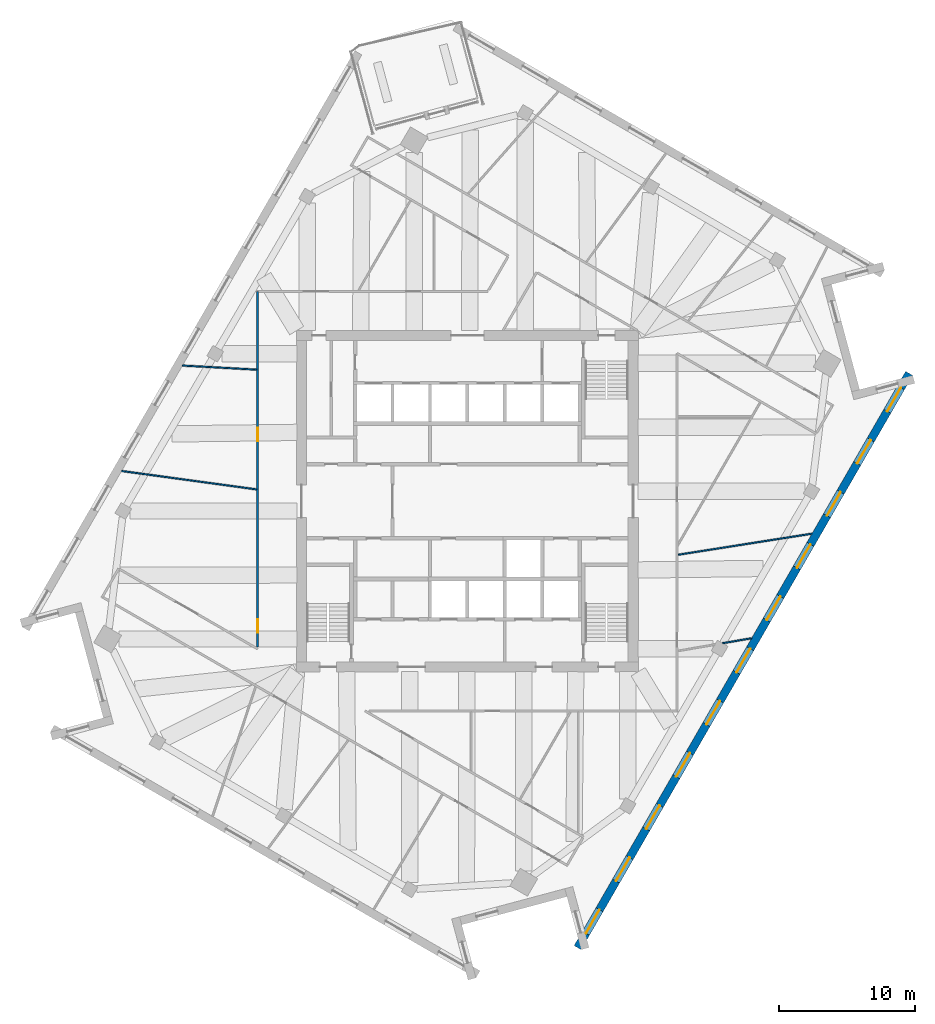
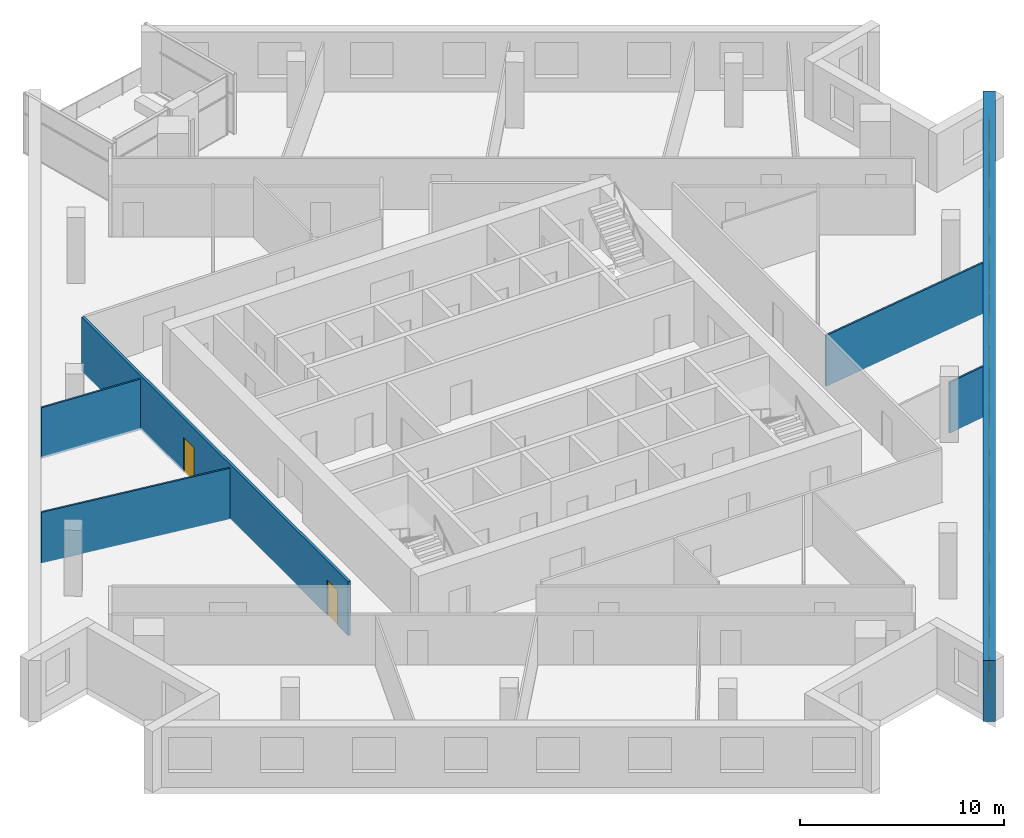
# One storey, part 8 of 13: 11 windows, 6 walls, 2 doors, 13 openings.
"""IFC4 building model written with IfcOpenShell, lengths in metres."""

from ifc_helpers import new_model, si_unit, direction, frame, frame_2d, origin, place, context, subcontext, project, spatial, rectangle, extrude, material, layer, layer_set, type_object, element, fill, save


model = new_model("IFC4")

# Units and contexts
model_context = context("Model", 3, precision=1e-05, world=origin(), true_north=direction((0.0, 1.0)))
body_context = subcontext(model_context, "Body", "Model", "MODEL_VIEW")
ifc_project = project(units=[si_unit("LENGTHUNIT", "METRE"), si_unit("AREAUNIT", "SQUARE_METRE"), si_unit("VOLUMEUNIT", "CUBIC_METRE"), si_unit("PLANEANGLEUNIT", "RADIAN"), si_unit("MASSUNIT", "GRAM", prefix="KILO")], contexts=[model_context])

# Site, building, storey
site_placement = place(None, origin())
site = spatial("IfcSite", under=ifc_project, at=site_placement, CompositionType="ELEMENT")
building_placement = place(site_placement, origin())
building = spatial("IfcBuilding", under=site, at=building_placement, Name="Dilmun Exchange Tower", CompositionType="ELEMENT")
storey_placement = place(building_placement, frame((0.0, 0.0, 262.89990234375)))
storey = spatial("IfcBuildingStorey", under=building, at=storey_placement, Name="L62", CompositionType="ELEMENT", Elevation=262.89990234375)

# Wall, openings, doors
ifc_material_1 = material(Name="Corridor wall 150")
ifc_layer_1 = layer(ifc_material_1, 0.14990234375)
ifc_layer_set_1 = layer_set([ifc_layer_1], Name="Corridor wall 150")
wall_type_1 = type_object("IfcWallType", Name="Corridor wall 150", PredefinedType="PARTITIONING", material=ifc_layer_set_1)
wall_1_placement = place(storey_placement, frame((-15.39990234375, -10.72021484375, 0.0), z_axis=(0.0, 0.0, 1.0), x_axis=(0.0, 1.0, 0.0)))
wall_1 = element("IfcWall", 1, at=wall_1_placement, inside=storey, type_object=wall_type_1, Name="Corridor wall", PredefinedType="PARTITIONING", context=body_context, shape_type="SweptSolid", body=[
    extrude(rectangle(XDim=26.1201171875, YDim=0.14990234375, at=frame_2d((13.06005859375, 0.0))), origin(), (0.0, 0.0, 1.0), 3.239990234375),
])
opening_1_placement = place(wall_1_placement, frame((1.050048828125, 0.0, 0.0)))
opening_1 = element("IfcOpeningElement", 2, at=opening_1_placement, cuts=wall_1, Name="Opening TF62-D02", PredefinedType="OPENING", context=body_context, shape_type="SweptSolid", body=[
    extrude(rectangle(XDim=1.0, YDim=2.10009765625, at=frame_2d((0.5, 1.050048828125))), frame((0.0, 0.0849609375, 0.0), z_axis=(0.0, -1.0, 0.0), x_axis=(1.0, 0.0, 0.0)), (0.0, 0.0, 1.0), 0.169921875),
])
opening_2_placement = place(wall_1_placement, frame((15.12353515625, 0.0, 0.0)))
opening_2 = element("IfcOpeningElement", 3, at=opening_2_placement, cuts=wall_1, Name="Opening TF62-D03", PredefinedType="OPENING", context=body_context, shape_type="SweptSolid", body=[
    extrude(rectangle(XDim=1.0, YDim=2.10009765625, at=frame_2d((0.5, 1.050048828125))), frame((0.0, 0.0849609375, 0.0), z_axis=(0.0, -1.0, 0.0), x_axis=(1.0, 0.0, 0.0)), (0.0, 0.0, 1.0), 0.169921875),
])
ifc_material_2 = material(Name="Fire door 1000 x 2100")
door_type = type_object("IfcDoorType", Name="Fire door 1000 x 2100", OperationType="NOTDEFINED", PredefinedType="DOOR", material=ifc_material_2)
door_1_placement = place(opening_1_placement, origin())
door_1 = element("IfcDoor", 4, at=door_1_placement, inside=storey, type_object=door_type, Name="Door TF62-D02", OperationType="SINGLE_SWING_LEFT", OverallHeight=2.10009765625, OverallWidth=1.0, PredefinedType="DOOR", context=body_context, shape_type="SweptSolid", body=[
    extrude(rectangle(XDim=1.0, YDim=2.10009765625, at=frame_2d((0.5, 1.050048828125))), frame((0.0, 0.02490234375, 0.0), z_axis=(0.0, -1.0, 0.0), x_axis=(1.0, 0.0, 0.0)), (0.0, 0.0, 1.0), 0.050048828125),
])
fill(opening_1, door_1)
door_2_placement = place(opening_2_placement, origin())
door_2 = element("IfcDoor", 5, at=door_2_placement, inside=storey, type_object=door_type, Name="Door TF62-D03", OperationType="SINGLE_SWING_RIGHT", OverallHeight=2.10009765625, OverallWidth=1.0, PredefinedType="DOOR", context=body_context, shape_type="SweptSolid", body=[
    extrude(rectangle(XDim=1.0, YDim=2.10009765625, at=frame_2d((0.5, 1.050048828125))), frame((0.0, 0.02490234375, 0.0), z_axis=(0.0, -1.0, 0.0), x_axis=(1.0, 0.0, 0.0)), (0.0, 0.0, 1.0), 0.050048828125),
])
fill(opening_2, door_2)

# Walls
ifc_material_3 = material(Name="Partition 100")
ifc_layer_2 = layer(ifc_material_3, 0.10009765625)
ifc_layer_set_2 = layer_set([ifc_layer_2], Name="Partition 100")
wall_type_2 = type_object("IfcWallType", Name="Partition 100", PredefinedType="PARTITIONING", material=ifc_layer_set_2)
wall_2_placement = place(storey_placement, frame((-25.39111328125, 2.217041015625, 0.0), z_axis=(0.0, 0.0, 1.0), x_axis=(0.990810103631, -0.135260262244, 0.0)))
element("IfcWall", 6, at=wall_2_placement, inside=storey, type_object=wall_type_2, Name="Partition", PredefinedType="PARTITIONING", context=body_context, shape_type="SweptSolid", body=[
    extrude(rectangle(XDim=10.001220703125, YDim=0.10009765625, at=frame_2d((5.00048828125, 0.0))), origin(), (0.0, 0.0, 1.0), 3.0400390625),
])
wall_3_placement = place(storey_placement, frame((-20.921630859375, 9.958740234375, 0.0), z_axis=(0.0, 0.0, 1.0), x_axis=(0.998469707991, -0.055301376328, 0.0)))
element("IfcWall", 7, at=wall_3_placement, inside=storey, type_object=wall_type_2, Name="Partition", PredefinedType="PARTITIONING", context=body_context, shape_type="SweptSolid", body=[
    extrude(rectangle(XDim=5.4521484375, YDim=0.10009765625, at=frame_2d((2.72607421875, 0.0))), origin(), (0.0, 0.0, 1.0), 3.0400390625),
])
wall_4_placement = place(storey_placement, frame((15.48291015625, -3.931884765625, 0.0), z_axis=(0.0, 0.0, 1.0), x_axis=(0.987819108506, 0.155606583636, 0.0)))
element("IfcWall", 8, at=wall_4_placement, inside=storey, type_object=wall_type_2, Name="Partition", PredefinedType="PARTITIONING", context=body_context, shape_type="SweptSolid", body=[
    extrude(rectangle(XDim=9.931640625, YDim=0.10009765625, at=frame_2d((4.9658203125, 0.0))), origin(), (0.0, 0.0, 1.0), 3.0400390625),
])
wall_5_placement = place(storey_placement, frame((18.7353515625, -10.430908203125, 0.0), z_axis=(0.0, 0.0, 1.0), x_axis=(0.985438538962, 0.170032014419, 0.0)))
element("IfcWall", 9, at=wall_5_placement, inside=storey, type_object=wall_type_2, Name="Partition", PredefinedType="PARTITIONING", context=body_context, shape_type="SweptSolid", body=[
    extrude(rectangle(XDim=2.15673828125, YDim=0.10009765625, at=frame_2d((1.078369140625, 0.0))), origin(), (0.0, 0.0, 1.0), 3.0400390625),
])

# Wall, openings, windows
ifc_material_4 = material(Name="Precast concrete C50/60", Category="concrete")
ifc_layer_3 = layer(ifc_material_4, 0.60009765625)
ifc_layer_set_3 = layer_set([ifc_layer_3], Name="Precast concrete C50/60")
wall_type_3 = type_object("IfcWallType", Name="Precast stone-clad wall 600", PredefinedType="STANDARD", material=ifc_layer_set_3)
wall_6_placement = place(storey_placement, frame((8.093505859375, -32.78173828125, 0.0), z_axis=(0.0, 0.0, 1.0), x_axis=(0.499997945818, 0.866026589763, 0.0)))
wall_6 = element("IfcWall", 10, at=wall_6_placement, inside=storey, type_object=wall_type_3, Name="Facade wall L62-11", PredefinedType="STANDARD", context=body_context, shape_type="SweptSolid", body=[
    extrude(rectangle(XDim=48.686279296875, YDim=0.60009765625, at=frame_2d((24.34326171875, 0.0))), origin(), (0.0, 0.0, 1.0), 3.64013671875),
])
opening_3_placement = place(wall_6_placement, frame((1.212890625, 0.0, 0.89990234375)))
opening_3 = element("IfcOpeningElement", 11, at=opening_3_placement, cuts=wall_6, Name="Opening W200-210", PredefinedType="OPENING", context=body_context, shape_type="SweptSolid", body=[
    extrude(rectangle(XDim=2.0, YDim=2.10009765625, at=frame_2d((1.0, 1.050048828125))), frame((0.0, 0.31005859375, 0.0), z_axis=(0.0, -1.0, 0.0), x_axis=(1.0, 0.0, 0.0)), (0.0, 0.0, 1.0), 0.6201171875),
])
opening_4_placement = place(wall_6_placement, frame((5.638916015625, 0.0, 0.89990234375)))
opening_4 = element("IfcOpeningElement", 12, at=opening_4_placement, cuts=wall_6, Name="Opening W200-210", PredefinedType="OPENING", context=body_context, shape_type="SweptSolid", body=[
    extrude(rectangle(XDim=2.0, YDim=2.10009765625, at=frame_2d((1.0, 1.050048828125))), frame((0.0, 0.31005859375, 0.0), z_axis=(0.0, -1.0, 0.0), x_axis=(1.0, 0.0, 0.0)), (0.0, 0.0, 1.0), 0.6201171875),
])
opening_5_placement = place(wall_6_placement, frame((10.065185546875, 0.0, 0.89990234375)))
opening_5 = element("IfcOpeningElement", 13, at=opening_5_placement, cuts=wall_6, Name="Opening W200-210", PredefinedType="OPENING", context=body_context, shape_type="SweptSolid", body=[
    extrude(rectangle(XDim=2.0, YDim=2.10009765625, at=frame_2d((1.0, 1.050048828125))), frame((0.0, 0.31005859375, 0.0), z_axis=(0.0, -1.0, 0.0), x_axis=(1.0, 0.0, 0.0)), (0.0, 0.0, 1.0), 0.6201171875),
])
opening_6_placement = place(wall_6_placement, frame((14.4912109375, 0.0, 0.89990234375)))
opening_6 = element("IfcOpeningElement", 14, at=opening_6_placement, cuts=wall_6, Name="Opening W200-210", PredefinedType="OPENING", context=body_context, shape_type="SweptSolid", body=[
    extrude(rectangle(XDim=2.0, YDim=2.10009765625, at=frame_2d((1.0, 1.050048828125))), frame((0.0, 0.31005859375, 0.0), z_axis=(0.0, -1.0, 0.0), x_axis=(1.0, 0.0, 0.0)), (0.0, 0.0, 1.0), 0.6201171875),
])
opening_7_placement = place(wall_6_placement, frame((18.9169921875, 0.0, 0.89990234375)))
opening_7 = element("IfcOpeningElement", 15, at=opening_7_placement, cuts=wall_6, Name="Opening W200-210", PredefinedType="OPENING", context=body_context, shape_type="SweptSolid", body=[
    extrude(rectangle(XDim=2.0, YDim=2.10009765625, at=frame_2d((1.0, 1.050048828125))), frame((0.0, 0.31005859375, 0.0), z_axis=(0.0, -1.0, 0.0), x_axis=(1.0, 0.0, 0.0)), (0.0, 0.0, 1.0), 0.6201171875),
])
opening_8_placement = place(wall_6_placement, frame((23.343017578125, 0.0, 0.89990234375)))
opening_8 = element("IfcOpeningElement", 16, at=opening_8_placement, cuts=wall_6, Name="Opening W200-210", PredefinedType="OPENING", context=body_context, shape_type="SweptSolid", body=[
    extrude(rectangle(XDim=2.0, YDim=2.10009765625, at=frame_2d((1.0, 1.050048828125))), frame((0.0, 0.31005859375, 0.0), z_axis=(0.0, -1.0, 0.0), x_axis=(1.0, 0.0, 0.0)), (0.0, 0.0, 1.0), 0.6201171875),
])
opening_9_placement = place(wall_6_placement, frame((27.769287109375, 0.0, 0.89990234375)))
opening_9 = element("IfcOpeningElement", 17, at=opening_9_placement, cuts=wall_6, Name="Opening W200-210", PredefinedType="OPENING", context=body_context, shape_type="SweptSolid", body=[
    extrude(rectangle(XDim=2.0, YDim=2.10009765625, at=frame_2d((1.0, 1.050048828125))), frame((0.0, 0.31005859375, 0.0), z_axis=(0.0, -1.0, 0.0), x_axis=(1.0, 0.0, 0.0)), (0.0, 0.0, 1.0), 0.6201171875),
])
opening_10_placement = place(wall_6_placement, frame((32.1953125, 0.0, 0.89990234375)))
opening_10 = element("IfcOpeningElement", 18, at=opening_10_placement, cuts=wall_6, Name="Opening W200-210", PredefinedType="OPENING", context=body_context, shape_type="SweptSolid", body=[
    extrude(rectangle(XDim=2.0, YDim=2.10009765625, at=frame_2d((1.0, 1.050048828125))), frame((0.0, 0.31005859375, 0.0), z_axis=(0.0, -1.0, 0.0), x_axis=(1.0, 0.0, 0.0)), (0.0, 0.0, 1.0), 0.6201171875),
])
opening_11_placement = place(wall_6_placement, frame((36.62109375, 0.0, 0.89990234375)))
opening_11 = element("IfcOpeningElement", 19, at=opening_11_placement, cuts=wall_6, Name="Opening W200-210", PredefinedType="OPENING", context=body_context, shape_type="SweptSolid", body=[
    extrude(rectangle(XDim=2.0, YDim=2.10009765625, at=frame_2d((1.0, 1.050048828125))), frame((0.0, 0.31005859375, 0.0), z_axis=(0.0, -1.0, 0.0), x_axis=(1.0, 0.0, 0.0)), (0.0, 0.0, 1.0), 0.6201171875),
])
opening_12_placement = place(wall_6_placement, frame((41.04736328125, 0.0, 0.89990234375)))
opening_12 = element("IfcOpeningElement", 20, at=opening_12_placement, cuts=wall_6, Name="Opening W200-210", PredefinedType="OPENING", context=body_context, shape_type="SweptSolid", body=[
    extrude(rectangle(XDim=2.0, YDim=2.10009765625, at=frame_2d((1.0, 1.050048828125))), frame((0.0, 0.31005859375, 0.0), z_axis=(0.0, -1.0, 0.0), x_axis=(1.0, 0.0, 0.0)), (0.0, 0.0, 1.0), 0.6201171875),
])
opening_13_placement = place(wall_6_placement, frame((45.473388671875, 0.0, 0.89990234375)))
opening_13 = element("IfcOpeningElement", 21, at=opening_13_placement, cuts=wall_6, Name="Opening W200-210", PredefinedType="OPENING", context=body_context, shape_type="SweptSolid", body=[
    extrude(rectangle(XDim=2.0, YDim=2.10009765625, at=frame_2d((1.0, 1.050048828125))), frame((0.0, 0.31005859375, 0.0), z_axis=(0.0, -1.0, 0.0), x_axis=(1.0, 0.0, 0.0)), (0.0, 0.0, 1.0), 0.6201171875),
])
ifc_material_5 = material(Name="Clear low-emissivity glass in aluminium frame", Category="aluminium")
window_type = type_object("IfcWindowType", Name="Punched window 2000 x 2100", PartitioningType="DOUBLE_PANEL_VERTICAL", PredefinedType="WINDOW", material=ifc_material_5)
window_1_placement = place(opening_3_placement, origin())
window_1 = element("IfcWindow", 22, at=window_1_placement, inside=storey, type_object=window_type, Name="Window 12.1", OverallHeight=2.10009765625, OverallWidth=2.0, PartitioningType="SINGLE_PANEL", PredefinedType="WINDOW", context=body_context, shape_type="SweptSolid", body=[
    extrude(rectangle(XDim=2.0, YDim=2.10009765625, at=frame_2d((1.0, 1.050048828125))), frame((0.0, 0.030029296875, 0.0), z_axis=(0.0, -1.0, 0.0), x_axis=(1.0, 0.0, 0.0)), (0.0, 0.0, 1.0), 0.06005859375),
])
fill(opening_3, window_1)
window_2_placement = place(opening_4_placement, origin())
window_2 = element("IfcWindow", 23, at=window_2_placement, inside=storey, type_object=window_type, Name="Window 12.2", OverallHeight=2.10009765625, OverallWidth=2.0, PartitioningType="SINGLE_PANEL", PredefinedType="WINDOW", context=body_context, shape_type="SweptSolid", body=[
    extrude(rectangle(XDim=2.0, YDim=2.10009765625, at=frame_2d((1.0, 1.050048828125))), frame((0.0, 0.030029296875, 0.0), z_axis=(0.0, -1.0, 0.0), x_axis=(1.0, 0.0, 0.0)), (0.0, 0.0, 1.0), 0.06005859375),
])
fill(opening_4, window_2)
window_3_placement = place(opening_5_placement, origin())
window_3 = element("IfcWindow", 24, at=window_3_placement, inside=storey, type_object=window_type, Name="Window 12.3", OverallHeight=2.10009765625, OverallWidth=2.0, PartitioningType="SINGLE_PANEL", PredefinedType="WINDOW", context=body_context, shape_type="SweptSolid", body=[
    extrude(rectangle(XDim=2.0, YDim=2.10009765625, at=frame_2d((1.0, 1.050048828125))), frame((0.0, 0.030029296875, 0.0), z_axis=(0.0, -1.0, 0.0), x_axis=(1.0, 0.0, 0.0)), (0.0, 0.0, 1.0), 0.06005859375),
])
fill(opening_5, window_3)
window_4_placement = place(opening_6_placement, origin())
window_4 = element("IfcWindow", 25, at=window_4_placement, inside=storey, type_object=window_type, Name="Window 12.4", OverallHeight=2.10009765625, OverallWidth=2.0, PartitioningType="SINGLE_PANEL", PredefinedType="WINDOW", context=body_context, shape_type="SweptSolid", body=[
    extrude(rectangle(XDim=2.0, YDim=2.10009765625, at=frame_2d((1.0, 1.050048828125))), frame((0.0, 0.030029296875, 0.0), z_axis=(0.0, -1.0, 0.0), x_axis=(1.0, 0.0, 0.0)), (0.0, 0.0, 1.0), 0.06005859375),
])
fill(opening_6, window_4)
window_5_placement = place(opening_7_placement, origin())
window_5 = element("IfcWindow", 26, at=window_5_placement, inside=storey, type_object=window_type, Name="Window 12.5", OverallHeight=2.10009765625, OverallWidth=2.0, PartitioningType="SINGLE_PANEL", PredefinedType="WINDOW", context=body_context, shape_type="SweptSolid", body=[
    extrude(rectangle(XDim=2.0, YDim=2.10009765625, at=frame_2d((1.0, 1.050048828125))), frame((0.0, 0.030029296875, 0.0), z_axis=(0.0, -1.0, 0.0), x_axis=(1.0, 0.0, 0.0)), (0.0, 0.0, 1.0), 0.06005859375),
])
fill(opening_7, window_5)
window_6_placement = place(opening_8_placement, origin())
window_6 = element("IfcWindow", 27, at=window_6_placement, inside=storey, type_object=window_type, Name="Window 12.6", OverallHeight=2.10009765625, OverallWidth=2.0, PartitioningType="SINGLE_PANEL", PredefinedType="WINDOW", context=body_context, shape_type="SweptSolid", body=[
    extrude(rectangle(XDim=2.0, YDim=2.10009765625, at=frame_2d((1.0, 1.050048828125))), frame((0.0, 0.030029296875, 0.0), z_axis=(0.0, -1.0, 0.0), x_axis=(1.0, 0.0, 0.0)), (0.0, 0.0, 1.0), 0.06005859375),
])
fill(opening_8, window_6)
window_7_placement = place(opening_9_placement, origin())
window_7 = element("IfcWindow", 28, at=window_7_placement, inside=storey, type_object=window_type, Name="Window 12.7", OverallHeight=2.10009765625, OverallWidth=2.0, PartitioningType="SINGLE_PANEL", PredefinedType="WINDOW", context=body_context, shape_type="SweptSolid", body=[
    extrude(rectangle(XDim=2.0, YDim=2.10009765625, at=frame_2d((1.0, 1.050048828125))), frame((0.0, 0.030029296875, 0.0), z_axis=(0.0, -1.0, 0.0), x_axis=(1.0, 0.0, 0.0)), (0.0, 0.0, 1.0), 0.06005859375),
])
fill(opening_9, window_7)
window_8_placement = place(opening_10_placement, origin())
window_8 = element("IfcWindow", 29, at=window_8_placement, inside=storey, type_object=window_type, Name="Window 12.8", OverallHeight=2.10009765625, OverallWidth=2.0, PartitioningType="SINGLE_PANEL", PredefinedType="WINDOW", context=body_context, shape_type="SweptSolid", body=[
    extrude(rectangle(XDim=2.0, YDim=2.10009765625, at=frame_2d((1.0, 1.050048828125))), frame((0.0, 0.030029296875, 0.0), z_axis=(0.0, -1.0, 0.0), x_axis=(1.0, 0.0, 0.0)), (0.0, 0.0, 1.0), 0.06005859375),
])
fill(opening_10, window_8)
window_9_placement = place(opening_11_placement, origin())
window_9 = element("IfcWindow", 30, at=window_9_placement, inside=storey, type_object=window_type, Name="Window 12.9", OverallHeight=2.10009765625, OverallWidth=2.0, PartitioningType="SINGLE_PANEL", PredefinedType="WINDOW", context=body_context, shape_type="SweptSolid", body=[
    extrude(rectangle(XDim=2.0, YDim=2.10009765625, at=frame_2d((1.0, 1.050048828125))), frame((0.0, 0.030029296875, 0.0), z_axis=(0.0, -1.0, 0.0), x_axis=(1.0, 0.0, 0.0)), (0.0, 0.0, 1.0), 0.06005859375),
])
fill(opening_11, window_9)
window_10_placement = place(opening_12_placement, origin())
window_10 = element("IfcWindow", 31, at=window_10_placement, inside=storey, type_object=window_type, Name="Window 12.10", OverallHeight=2.10009765625, OverallWidth=2.0, PartitioningType="SINGLE_PANEL", PredefinedType="WINDOW", context=body_context, shape_type="SweptSolid", body=[
    extrude(rectangle(XDim=2.0, YDim=2.10009765625, at=frame_2d((1.0, 1.050048828125))), frame((0.0, 0.030029296875, 0.0), z_axis=(0.0, -1.0, 0.0), x_axis=(1.0, 0.0, 0.0)), (0.0, 0.0, 1.0), 0.06005859375),
])
fill(opening_12, window_10)
window_11_placement = place(opening_13_placement, origin())
window_11 = element("IfcWindow", 32, at=window_11_placement, inside=storey, type_object=window_type, Name="Window 12.11", OverallHeight=2.10009765625, OverallWidth=2.0, PartitioningType="SINGLE_PANEL", PredefinedType="WINDOW", context=body_context, shape_type="SweptSolid", body=[
    extrude(rectangle(XDim=2.0, YDim=2.10009765625, at=frame_2d((1.0, 1.050048828125))), frame((0.0, 0.030029296875, 0.0), z_axis=(0.0, -1.0, 0.0), x_axis=(1.0, 0.0, 0.0)), (0.0, 0.0, 1.0), 0.06005859375),
])
fill(opening_13, window_11)

save(model, "model.ifc")
